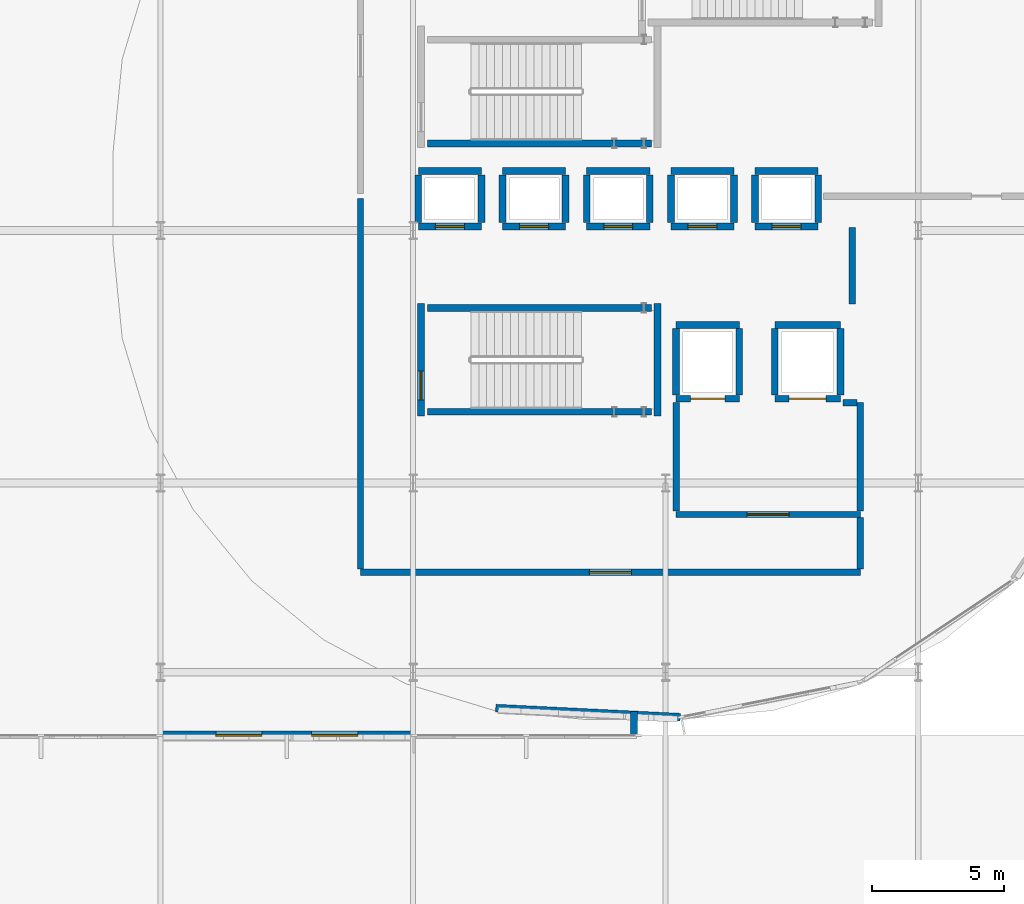
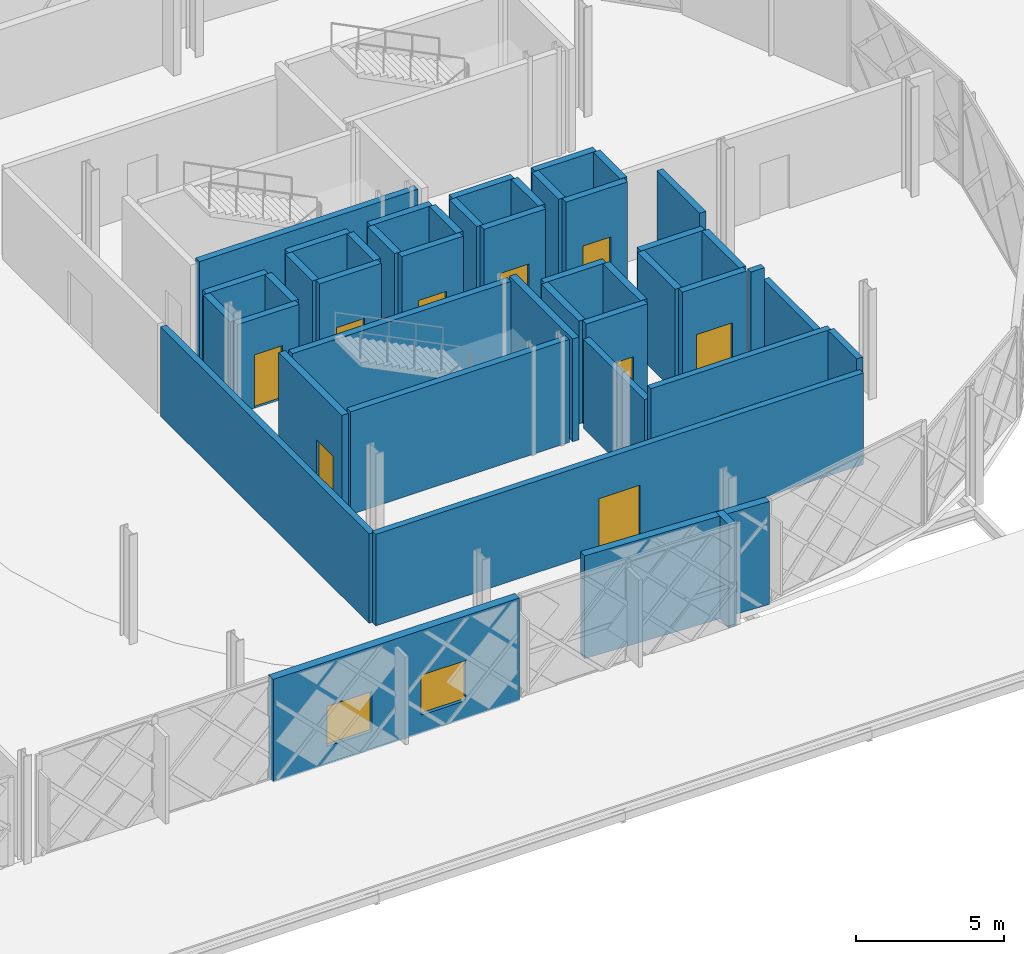
# One storey, part 70 of 101: 44 walls, 10 doors, 2 windows, 12 openings.
"""IFC4 building model written with IfcOpenShell, lengths in metres."""

import ifcopenshell
import ifcopenshell.guid

model = None  # the IFC model being written
_history = None  # IfcOwnerHistory: only IFC2X3 demands one
_inside = {}  # id of a spatial element -> (the spatial element, [elements in it])
_under = {}  # id of a project, library or spatial element -> (it, [spatial elements below it])
_declared = {}  # id of a project -> (the project, [libraries it declares])
_typed = {}  # id of a type object -> (the type object, [elements of that type])
_made_of = {}  # id of a material, layer set ... -> (it, [elements and type objects made of it])


def new_model(schema):
    """Start an empty IFC model of exactly this schema.

    Asked for "IFC4X3", IfcOpenShell would pick the latest addendum, in which some entities
    have other attributes; the version numbers below select the first issue.
    IFC2X3 requires an IfcOwnerHistory on every rooted entity: one is made here for all.
    """
    global model, _history
    if schema == "IFC4X3":
        model = ifcopenshell.file(schema_version=(4, 3, 0, 0))
    else:
        model = ifcopenshell.file(schema=schema)
    _inside.clear()
    _under.clear()
    _declared.clear()
    _typed.clear()
    _made_of.clear()
    _history = None
    if model.schema == "IFC2X3":
        org = make("IfcOrganization", Name="unknown")
        user = make(
            "IfcPersonAndOrganization",
            ThePerson=make("IfcPerson", FamilyName="unknown"),
            TheOrganization=org,
        )
        app = make(
            "IfcApplication",
            ApplicationDeveloper=org,
            Version="unknown",
            ApplicationFullName="unknown",
            ApplicationIdentifier="unknown",
        )
        _history = make(
            "IfcOwnerHistory",
            OwningUser=user,
            OwningApplication=app,
            ChangeAction="ADDED",
            CreationDate=0,
        )
    return model


def make(cls, **values):
    """One entity of the class cls with the attributes given. An attribute that is None is left unset."""
    return model.create_entity(
        cls, **{name: value for name, value in values.items() if value is not None}
    )


def rooted(cls, **values):
    """An entity with a GlobalId (a new one), such as an element, a storey or a relation."""
    return make(cls, GlobalId=ifcopenshell.guid.new(), OwnerHistory=_history, **values)


def si_unit(unit_type, name, prefix=None):
    """IfcSIUnit, for example si_unit("LENGTHUNIT", "METRE", prefix="MILLI")."""
    return make("IfcSIUnit", UnitType=unit_type, Prefix=prefix, Name=name)


def assignment(units):
    """IfcUnitAssignment: the units of a project."""
    return None if units is None else make("IfcUnitAssignment", Units=units)


def point(xyz):
    """IfcCartesianPoint."""
    return None if xyz is None else make("IfcCartesianPoint", Coordinates=xyz)


def direction(xyz):
    """IfcDirection."""
    return None if xyz is None else make("IfcDirection", DirectionRatios=xyz)


def frame(location, z_axis=None, x_axis=None):
    """IfcAxis2Placement3D, a coordinate frame: its origin and axes. An axis left out is left unset."""
    return make(
        "IfcAxis2Placement3D",
        Location=point(location),
        Axis=direction(z_axis),
        RefDirection=direction(x_axis),
    )


def frame_2d(location, x_axis=None):
    """IfcAxis2Placement2D, a coordinate frame in the plane: its origin and x axis."""
    return make(
        "IfcAxis2Placement2D", Location=point(location), RefDirection=direction(x_axis)
    )


def origin():
    """The frame at (0, 0, 0) with its axes left unset."""
    return frame((0.0, 0.0, 0.0))


def place(relative_to, where):
    """IfcLocalPlacement: puts the frame where relative to a parent placement (None: the world)."""
    return make(
        "IfcLocalPlacement", PlacementRelTo=relative_to, RelativePlacement=where
    )


def context(
    kind, dimensions, precision=None, world=None, true_north=None, identifier=None
):
    """IfcGeometricRepresentationContext, for example the 3D "Model" context."""
    return make(
        "IfcGeometricRepresentationContext",
        ContextIdentifier=identifier,
        ContextType=kind,
        CoordinateSpaceDimension=dimensions,
        Precision=precision,
        WorldCoordinateSystem=world,
        TrueNorth=true_north,
    )


def subcontext(parent, identifier, kind, view, scale=None):
    """IfcGeometricRepresentationSubContext, for example "Body" below "Model"."""
    return make(
        "IfcGeometricRepresentationSubContext",
        ContextIdentifier=identifier,
        ContextType=kind,
        ParentContext=parent,
        TargetScale=scale,
        TargetView=view,
    )


def project(units=None, contexts=None):
    """IfcProject with its units and contexts."""
    return rooted(
        "IfcProject",
        Name="project",
        RepresentationContexts=contexts,
        UnitsInContext=assignment(units),
    )


def spatial(cls, under=None, at=None, **own):
    """A site, building, storey or space (cls), placed at a placement, below another one or the project."""
    s = rooted(cls, ObjectPlacement=at, **own)
    if under is not None:
        _under.setdefault(under.id(), (under, []))[1].append(s)
    return s


def profile(cls, at=None, kind="AREA", **sizes):
    """A parametric profile (cls). Its sizes go by their IFC names, for example OverallWidth=200.0."""
    return make(cls, ProfileType=kind, Position=at, **sizes)


def rectangle(**sizes):
    """IfcRectangleProfileDef."""
    return profile("IfcRectangleProfileDef", **sizes)


def extrude(swept, where, along, depth):
    """IfcExtrudedAreaSolid: the profile swept, set in the frame where, extruded along a direction by depth."""
    return make(
        "IfcExtrudedAreaSolid",
        SweptArea=swept,
        Position=where,
        ExtrudedDirection=direction(along),
        Depth=depth,
    )


def shape(context_of_items, identifier, shape_type, items):
    """IfcShapeRepresentation: the items that make up one representation, for example the "Body"."""
    return make(
        "IfcShapeRepresentation",
        ContextOfItems=context_of_items,
        RepresentationIdentifier=identifier,
        RepresentationType=shape_type,
        Items=items,
    )


def material(Name=None, Category=None):
    """IfcMaterial."""
    return make("IfcMaterial", Name=Name, Category=Category)


def layer(
    of_material, thickness, ventilated=None, Name=None, Category=None, Priority=None
):
    """IfcMaterialLayer: one layer of a wall or slab, of a material (None: an air gap)."""
    return make(
        "IfcMaterialLayer",
        Material=of_material,
        LayerThickness=thickness,
        IsVentilated=ventilated,
        Name=Name,
        Category=Category,
        Priority=Priority,
    )


def layer_set(layers, Name=None):
    """IfcMaterialLayerSet."""
    return make("IfcMaterialLayerSet", MaterialLayers=layers, LayerSetName=Name)


def made_of(thing, what):
    """Note that an element or type object is made of a material, layer set ...; save() writes the relation."""
    if what is not None:
        _made_of.setdefault(what.id(), (what, []))[1].append(thing)
    return thing


def type_object(cls, material=None, **own):
    """A type object (cls), such as IfcWallType, which elements share."""
    return made_of(rooted(cls, **own), material)


def element(
    cls,
    number,
    at=None,
    inside=None,
    cuts=None,
    type_object=None,
    material=None,
    context=None,
    identifier="Body",
    shape_type=None,
    held_by="IfcProductDefinitionShape",
    body=None,
    shapes=None,
    **own,
):
    """One element of the class cls, such as IfcWall. Its Tag is "e" and its number.

    at: its placement. inside: the storey or other place that contains it. cuts: it is an
    opening in that element (IfcRelVoidsElement). A single representation is given by context,
    identifier, shape_type and body (its items); several are given by shapes. held_by: the class
    of the entity that holds the representations. save() writes the other relations.
    """
    e = rooted(cls, Tag="e%d" % number, ObjectPlacement=at, **own)
    if body is not None:
        shapes = [shape(context, identifier, shape_type, body)]
    if shapes is not None:
        e.Representation = make(held_by, Representations=shapes)
    if inside is not None:
        _inside.setdefault(inside.id(), (inside, []))[1].append(e)
    if cuts is not None:
        rooted(
            "IfcRelVoidsElement", RelatingBuildingElement=cuts, RelatedOpeningElement=e
        )
    if type_object is not None:
        _typed.setdefault(type_object.id(), (type_object, []))[1].append(e)
    return made_of(e, material)


def fill(opening, filler):
    """IfcRelFillsElement: the door or window that sits in an opening."""
    return rooted(
        "IfcRelFillsElement",
        RelatingOpeningElement=opening,
        RelatedBuildingElement=filler,
    )


def aggregate(whole, parts):
    """IfcRelAggregates: a whole, such as a stair, and the parts it consists of."""
    return rooted("IfcRelAggregates", RelatingObject=whole, RelatedObjects=parts)


def save(model, path):
    """Write the relations noted so far, then the file.

    IfcRelAggregates (storeys below a building ...), IfcRelContainedInSpatialStructure (elements
    in a storey), IfcRelDefinesByType, IfcRelAssociatesMaterial and IfcRelDeclares: one each for
    every whole, place, type object, material and project.
    """
    for whole, parts in _under.values():
        aggregate(whole, parts)
    for where, things in _inside.values():
        rooted(
            "IfcRelContainedInSpatialStructure",
            RelatedElements=things,
            RelatingStructure=where,
        )
    for kind, things in _typed.values():
        rooted("IfcRelDefinesByType", RelatedObjects=things, RelatingType=kind)
    for what, things in _made_of.values():
        rooted("IfcRelAssociatesMaterial", RelatedObjects=things, RelatingMaterial=what)
    for by, libraries in _declared.values():
        rooted("IfcRelDeclares", RelatingContext=by, RelatedDefinitions=libraries)
    model.write(path)


model = new_model("IFC4")

# Units and contexts
model_context = context("Model", 3, precision=1e-05, world=origin(), true_north=direction((0.0, 1.0)))
body_context = subcontext(model_context, "Body", "Model", "MODEL_VIEW")
ifc_project = project(units=[si_unit("LENGTHUNIT", "METRE"), si_unit("AREAUNIT", "SQUARE_METRE"), si_unit("VOLUMEUNIT", "CUBIC_METRE"), si_unit("PLANEANGLEUNIT", "RADIAN"), si_unit("MASSUNIT", "GRAM", prefix="KILO")], contexts=[model_context])

# Site, building, storey
site_placement = place(None, origin())
site = spatial("IfcSite", under=ifc_project, at=site_placement, CompositionType="ELEMENT")
building_placement = place(site_placement, origin())
building = spatial("IfcBuilding", under=site, at=building_placement, Name="Zevrakil Square Congress Hotel", CompositionType="ELEMENT")
storey_placement = place(building_placement, frame((0.0, 0.0, 5.39990234375)))
storey = spatial("IfcBuildingStorey", under=building, at=storey_placement, Name="L02", CompositionType="ELEMENT", Elevation=5.39990234375)

# Wall, opening, door
ifc_material_1 = material(Name="Concrete C35/45", Category="concrete")
ifc_layer_1 = layer(ifc_material_1, 0.239990234375)
ifc_layer_set_1 = layer_set([ifc_layer_1], Name="Concrete C35/45")
wall_type_1 = type_object("IfcWallType", Name="WAL-COMP-240", PredefinedType="SOLIDWALL", material=ifc_layer_set_1)
wall_1_placement = place(storey_placement, frame((146.800048828125, 15.60009765625, 0.0), z_axis=(0.0, 0.0, 1.0), x_axis=(1.0, 0.0, 0.0)))
wall_1 = element("IfcWall", 1, at=wall_1_placement, inside=storey, type_object=wall_type_1, Name="L02 interior partition PW-L02-0047", PredefinedType="SOLIDWALL", context=body_context, shape_type="SweptSolid", body=[
    extrude(rectangle(XDim=7.0, YDim=0.239990234375, at=frame_2d((3.5, 0.0))), origin(), (0.0, 0.0, 1.0), 4.239990234375),
])
opening_1_placement = place(wall_1_placement, frame((2.699951171875, 0.0, 0.0)))
opening_1 = element("IfcOpeningElement", 2, at=opening_1_placement, cuts=wall_1, Name="Opening FD90-D", PredefinedType="OPENING", context=body_context, shape_type="SweptSolid", body=[
    extrude(rectangle(XDim=1.60009765625, YDim=2.199951171875, at=frame_2d((0.800048828125, 1.10009765625))), frame((0.0, 0.1298828125, 0.0), z_axis=(0.0, -1.0, 0.0), x_axis=(1.0, 0.0, 0.0)), (0.0, 0.0, 1.0), 0.260009765625),
])
ifc_material_2 = material(Name="Steel S355 Double Fire Door", Category="steel")
door_type_1 = type_object("IfcDoorType", Name="DOR-FFLOB-FD90-160", OperationType="NOTDEFINED", PredefinedType="DOOR", material=ifc_material_2)
door_1_placement = place(opening_1_placement, origin())
door_1 = element("IfcDoor", 3, at=door_1_placement, inside=storey, type_object=door_type_1, Name="L02 interior door 15", OperationType="DOUBLE_DOOR_SINGLE_SWING", OverallHeight=2.199951171875, OverallWidth=1.60009765625, PredefinedType="DOOR", context=body_context, shape_type="SweptSolid", body=[
    extrude(rectangle(XDim=1.60009765625, YDim=2.199951171875, at=frame_2d((0.800048828125, 1.10009765625))), frame((0.0, 0.02490234375, 0.0), z_axis=(0.0, -1.0, 0.0), x_axis=(1.0, 0.0, 0.0)), (0.0, 0.0, 1.0), 0.050048828125),
])
fill(opening_1, door_1)

# Walls
for number, where, z_axis, x_axis, name in (
    (4, (146.800048828125, 15.72509765625, 0.0), (0.0, 0.0, 1.0), (0.0, 1.0, 0.0), "L02 interior partition PW-L02-0048"),
    (5, (153.800048828125, 15.72509765625, 0.0), (0.0, 0.0, 1.0), (0.0, 1.0, 0.0), "L02 interior partition PW-L02-0049"),
):
    element("IfcWall", number, at=place(storey_placement, frame(where, z_axis=z_axis, x_axis=x_axis)), inside=storey, type_object=wall_type_1, Name=name, PredefinedType="SOLIDWALL", context=body_context, shape_type="SweptSolid", body=[
        extrude(rectangle(XDim=4.125, YDim=0.239990234375, at=frame_2d((2.0625, 0.0))), origin(), (0.0, 0.0, 1.0), 3.68505859375),
    ])
wall_2_placement = place(storey_placement, frame((153.14990234375, 19.85009765625, 0.0), z_axis=(0.0, 0.0, 1.0), x_axis=(1.0, 0.0, 0.0)))
element("IfcWall", 6, at=wall_2_placement, inside=storey, type_object=wall_type_1, Name="L02 interior partition PW-L02-0050", PredefinedType="SOLIDWALL", context=body_context, shape_type="SweptSolid", body=[
    extrude(rectangle(XDim=0.525146484375, YDim=0.239990234375, at=frame_2d((0.2626953125, 0.0))), origin(), (0.0, 0.0, 1.0), 4.239990234375),
])

# Wall, opening, door
wall_3_placement = place(storey_placement, frame((134.800048828125, 13.39990234375, 0.0), z_axis=(0.0, 0.0, 1.0), x_axis=(1.0, 0.0, 0.0)))
wall_3 = element("IfcWall", 7, at=wall_3_placement, inside=storey, type_object=wall_type_1, Name="L02 interior partition PW-L02-0051", PredefinedType="SOLIDWALL", context=body_context, shape_type="SweptSolid", body=[
    extrude(rectangle(XDim=19.0, YDim=0.239990234375, at=frame_2d((9.5, 0.0))), origin(), (0.0, 0.0, 1.0), 3.775146484375),
])
opening_2_placement = place(wall_3_placement, frame((8.699951171875, 0.0, 0.0)))
opening_2 = element("IfcOpeningElement", 8, at=opening_2_placement, cuts=wall_3, Name="Opening FD90-D", PredefinedType="OPENING", context=body_context, shape_type="SweptSolid", body=[
    extrude(rectangle(XDim=1.60009765625, YDim=2.199951171875, at=frame_2d((0.800048828125, 1.10009765625))), frame((0.0, 0.1298828125, 0.0), z_axis=(0.0, -1.0, 0.0), x_axis=(1.0, 0.0, 0.0)), (0.0, 0.0, 1.0), 0.260009765625),
])
door_2_placement = place(opening_2_placement, origin())
door_2 = element("IfcDoor", 9, at=door_2_placement, inside=storey, type_object=door_type_1, Name="L02 interior door 16", OperationType="DOUBLE_DOOR_SINGLE_SWING", OverallHeight=2.199951171875, OverallWidth=1.60009765625, PredefinedType="DOOR", context=body_context, shape_type="SweptSolid", body=[
    extrude(rectangle(XDim=1.60009765625, YDim=2.199951171875, at=frame_2d((0.800048828125, 1.10009765625))), frame((0.0, 0.02490234375, 0.0), z_axis=(0.0, -1.0, 0.0), x_axis=(1.0, 0.0, 0.0)), (0.0, 0.0, 1.0), 0.050048828125),
])
fill(opening_2, door_2)

# Walls
wall_4_placement = place(storey_placement, frame((153.800048828125, 13.52490234375, 0.0), z_axis=(0.0, 0.0, 1.0), x_axis=(0.0, 1.0, 0.0)))
element("IfcWall", 10, at=wall_4_placement, inside=storey, type_object=wall_type_1, Name="L02 interior partition PW-L02-0052", PredefinedType="SOLIDWALL", context=body_context, shape_type="SweptSolid", body=[
    extrude(rectangle(XDim=1.9501953125, YDim=0.239990234375, at=frame_2d((0.97509765625, 0.0))), origin(), (0.0, 0.0, 1.0), 4.239990234375),
])
wall_5_placement = place(storey_placement, frame((134.800048828125, 13.52490234375, 0.0), z_axis=(0.0, 0.0, 1.0), x_axis=(0.0, 1.0, 0.0)))
element("IfcWall", 11, at=wall_5_placement, inside=storey, type_object=wall_type_1, Name="L02 interior partition PW-L02-0053", PredefinedType="SOLIDWALL", context=body_context, shape_type="SweptSolid", body=[
    extrude(rectangle(XDim=14.0751953125, YDim=0.239990234375, at=frame_2d((7.03759765625, 0.0))), origin(), (0.0, 0.0, 1.0), 3.68505859375),
])
wall_6_placement = place(storey_placement, frame((153.5, 23.60009765625, 0.0), z_axis=(0.0, 0.0, 1.0), x_axis=(0.0, 1.0, 0.0)))
element("IfcWall", 12, at=wall_6_placement, inside=storey, type_object=wall_type_1, Name="L02 interior partition PW-L02-0056", PredefinedType="SOLIDWALL", context=body_context, shape_type="SweptSolid", body=[
    extrude(rectangle(XDim=2.89990234375, YDim=0.239990234375, at=frame_2d((1.449951171875, 0.0))), origin(), (0.0, 0.0, 1.0), 4.239990234375),
])
ifc_material_3 = material(Name="Precast concrete C40/50", Category="concrete")
ifc_layer_2 = layer(ifc_material_3, 0.300048828125)
ifc_layer_set_2 = layer_set([ifc_layer_2], Name="Precast concrete C40/50")
wall_type_2 = type_object("IfcWallType", Name="WAL-EXT-DRM-300", PredefinedType="SOLIDWALL", material=ifc_layer_set_2)
wall_7_placement = place(storey_placement, frame((139.942138671875, 8.235107421875, 0.0), z_axis=(0.0, 0.0, 1.0), x_axis=(0.998790626756, -0.049165881505, 0.0)))
element("IfcWall", 13, at=wall_7_placement, inside=storey, type_object=wall_type_2, Name="L02 exterior GRC wall EW-L02-0123", PredefinedType="SOLIDWALL", context=body_context, shape_type="SweptSolid", body=[
    extrude(rectangle(XDim=7.021484375, YDim=0.300048828125, at=frame_2d((3.5107421875, 0.0))), origin(), (0.0, 0.0, 1.0), 4.239990234375),
])

# Wall, openings, windows
ifc_material_4 = material(Name="Precast concrete C40/50", Category="concrete")
ifc_layer_3 = layer(ifc_material_4, 0.320068359375)
ifc_layer_set_3 = layer_set([ifc_layer_3], Name="Precast concrete C40/50")
wall_type_3 = type_object("IfcWallType", Name="WAL-EXT-GRC-320", PredefinedType="SOLIDWALL", material=ifc_layer_set_3)
wall_8_placement = place(storey_placement, frame((127.202880859375, 7.199951171875, 0.0), z_axis=(0.0, 0.0, 1.0), x_axis=(1.0, 0.0, 0.0)))
wall_8 = element("IfcWall", 14, at=wall_8_placement, inside=storey, type_object=wall_type_3, Name="L02 exterior GRC wall EW-L02-0023", PredefinedType="SOLIDWALL", context=body_context, shape_type="SweptSolid", body=[
    extrude(rectangle(XDim=9.59423828125, YDim=0.320068359375, at=frame_2d((4.797119140625, 0.0))), origin(), (0.0, 0.0, 1.0), 4.239990234375),
])
opening_3_placement = place(wall_8_placement, frame((2.098388671875, 0.0, 0.75)))
opening_3 = element("IfcOpeningElement", 15, at=opening_3_placement, cuts=wall_8, Name="Opening WN-16", PredefinedType="OPENING", context=body_context, shape_type="SweptSolid", body=[
    extrude(rectangle(XDim=1.75, YDim=1.64990234375, at=frame_2d((0.875, 0.824951171875))), frame((0.0, 0.169921875, 0.0), z_axis=(0.0, -1.0, 0.0), x_axis=(1.0, 0.0, 0.0)), (0.0, 0.0, 1.0), 0.340087890625),
])
opening_4_placement = place(wall_8_placement, frame((5.74560546875, 0.0, 0.75)))
opening_4 = element("IfcOpeningElement", 16, at=opening_4_placement, cuts=wall_8, Name="Opening WN-16", PredefinedType="OPENING", context=body_context, shape_type="SweptSolid", body=[
    extrude(rectangle(XDim=1.75, YDim=1.64990234375, at=frame_2d((0.875, 0.824951171875))), frame((0.0, 0.169921875, 0.0), z_axis=(0.0, -1.0, 0.0), x_axis=(1.0, 0.0, 0.0)), (0.0, 0.0, 1.0), 0.340087890625),
])
ifc_material_5 = material(Name="Low-E Solar Control Double Glazing", Category="glass")
window_type = type_object("IfcWindowType", Name="WIN-EXT-16", PartitioningType="SINGLE_PANEL", PredefinedType="WINDOW", material=ifc_material_5)
window_1_placement = place(opening_3_placement, origin())
window_1 = element("IfcWindow", 17, at=window_1_placement, inside=storey, type_object=window_type, Name="L02 low-E solar window 16", OverallHeight=1.64990234375, OverallWidth=1.75, PartitioningType="SINGLE_PANEL", PredefinedType="WINDOW", context=body_context, shape_type="SweptSolid", body=[
    extrude(rectangle(XDim=1.75, YDim=1.64990234375, at=frame_2d((0.875, 0.824951171875))), frame((0.0, 0.030029296875, 0.0), z_axis=(0.0, -1.0, 0.0), x_axis=(1.0, 0.0, 0.0)), (0.0, 0.0, 1.0), 0.06005859375),
])
fill(opening_3, window_1)
window_2_placement = place(opening_4_placement, origin())
window_2 = element("IfcWindow", 18, at=window_2_placement, inside=storey, type_object=window_type, Name="L02 low-E solar window 17", OverallHeight=1.64990234375, OverallWidth=1.75, PartitioningType="SINGLE_PANEL", PredefinedType="WINDOW", context=body_context, shape_type="SweptSolid", body=[
    extrude(rectangle(XDim=1.75, YDim=1.64990234375, at=frame_2d((0.875, 0.824951171875))), frame((0.0, 0.030029296875, 0.0), z_axis=(0.0, -1.0, 0.0), x_axis=(1.0, 0.0, 0.0)), (0.0, 0.0, 1.0), 0.06005859375),
])
fill(opening_4, window_2)

# Wall
ifc_material_6 = material(Name="Precast concrete C40/50", Category="concrete")
ifc_layer_4 = layer(ifc_material_6, 0.280029296875)
ifc_layer_set_4 = layer_set([ifc_layer_4], Name="Precast concrete C40/50")
wall_type_4 = type_object("IfcWallType", Name="WAL-EXT-PAV-280", PredefinedType="SOLIDWALL", material=ifc_layer_set_4)
wall_9_placement = place(storey_placement, frame((145.199951171875, 7.199951171875, 0.0), z_axis=(0.0, 0.0, 1.0), x_axis=(0.0, 1.0, 0.0)))
element("IfcWall", 19, at=wall_9_placement, inside=storey, type_object=wall_type_4, Name="L02 exterior GRC wall EW-L02-0104", PredefinedType="SOLIDWALL", context=body_context, shape_type="SweptSolid", body=[
    extrude(rectangle(XDim=0.900146484375, YDim=0.280029296875, at=frame_2d((0.4501953125, 0.0))), origin(), (0.0, 0.0, 1.0), 4.239990234375),
])

# Wall, opening, door
ifc_material_7 = material(Name="Concrete C40/50", Category="concrete")
ifc_layer_5 = layer(ifc_material_7, 0.260009765625)
ifc_layer_set_5 = layer_set([ifc_layer_5], Name="Concrete C40/50")
wall_type_5 = type_object("IfcWallType", Name="WAL-SHAFT-260", PredefinedType="SHEAR", material=ifc_layer_set_5)
wall_10_placement = place(storey_placement, frame((137.10498046875, 19.340087890625, 0.0), z_axis=(0.0, 0.0, 1.0), x_axis=(0.0, 1.0, 0.0)))
wall_10 = element("IfcWall", 20, at=wall_10_placement, inside=storey, type_object=wall_type_5, Name="L02 ST01 stair shaft W wall", PredefinedType="SHEAR", context=body_context, shape_type="SweptSolid", body=[
    extrude(rectangle(XDim=4.27001953125, YDim=0.260009765625, at=frame_2d((2.135009765625, 0.0))), origin(), (0.0, 0.0, 1.0), 4.239990234375),
])
opening_5_placement = place(wall_10_placement, frame((0.610107421875, 0.0, 0.0)))
opening_5 = element("IfcOpeningElement", 21, at=opening_5_placement, cuts=wall_10, Name="Opening SD-ST01", PredefinedType="OPENING", context=body_context, shape_type="SweptSolid", body=[
    extrude(rectangle(XDim=1.10009765625, YDim=2.199951171875, at=frame_2d((0.550048828125, 1.10009765625))), frame((0.0, 0.14013671875, 0.0), z_axis=(0.0, -1.0, 0.0), x_axis=(1.0, 0.0, 0.0)), (0.0, 0.0, 1.0), 0.280029296875),
])
ifc_material_8 = material(Name="Steel S355 Fire-Rated Door", Category="steel")
door_type_2 = type_object("IfcDoorType", Name="DOR-STAIR-FD90-110", OperationType="NOTDEFINED", PredefinedType="DOOR", material=ifc_material_8)
door_3_placement = place(opening_5_placement, origin())
door_3 = element("IfcDoor", 22, at=door_3_placement, inside=storey, type_object=door_type_2, Name="L02 ST01 protected stair fire door", OperationType="SINGLE_SWING_LEFT", OverallHeight=2.199951171875, OverallWidth=1.10009765625, PredefinedType="DOOR", context=body_context, shape_type="SweptSolid", body=[
    extrude(rectangle(XDim=1.10009765625, YDim=2.199951171875, at=frame_2d((0.550048828125, 1.10009765625))), frame((0.0, 0.02490234375, 0.0), z_axis=(0.0, -1.0, 0.0), x_axis=(1.0, 0.0, 0.0)), (0.0, 0.0, 1.0), 0.050048828125),
])
fill(opening_5, door_3)

# Walls
wall_11_placement = place(storey_placement, frame((146.094970703125, 19.340087890625, 0.0), z_axis=(0.0, 0.0, 1.0), x_axis=(0.0, 1.0, 0.0)))
element("IfcWall", 23, at=wall_11_placement, inside=storey, type_object=wall_type_5, Name="L02 ST01 stair shaft E wall", PredefinedType="SHEAR", context=body_context, shape_type="SweptSolid", body=[
    extrude(rectangle(XDim=4.27001953125, YDim=0.260009765625, at=frame_2d((2.135009765625, 0.0))), origin(), (0.0, 0.0, 1.0), 4.239990234375),
])
for number, where, z_axis, x_axis, name in (
    (24, (137.340087890625, 19.5048828125, 0.0), (0.0, 0.0, 1.0), (1.0, 0.0, 0.0), "L02 ST01 stair shaft S wall"),
    (25, (137.340087890625, 23.445068359375, 0.0), (0.0, 0.0, 1.0), (1.0, 0.0, 0.0), "L02 ST01 stair shaft N wall"),
    (26, (137.340087890625, 29.705078125, 0.0), (0.0, 0.0, 1.0), (1.0, 0.0, 0.0), "L02 ST02 stair shaft S wall"),
):
    element("IfcWall", number, at=place(storey_placement, frame(where, z_axis=z_axis, x_axis=x_axis)), inside=storey, type_object=wall_type_5, Name=name, PredefinedType="SHEAR", context=body_context, shape_type="SweptSolid", body=[
        extrude(rectangle(XDim=8.52001953125, YDim=0.260009765625, at=frame_2d((4.260009765625, 0.0))), origin(), (0.0, 0.0, 1.0), 4.239990234375),
    ])

# Wall, opening, door
wall_12_placement = place(storey_placement, frame((137.0, 26.550048828125, 0.0), z_axis=(0.0, 0.0, 1.0), x_axis=(1.0, 0.0, 0.0)))
wall_12 = element("IfcWall", 27, at=wall_12_placement, inside=storey, type_object=wall_type_5, Name="L02 HL1 lift shaft wall", PredefinedType="SHEAR", context=body_context, shape_type="SweptSolid", body=[
    extrude(rectangle(XDim=2.39990234375, YDim=0.260009765625, at=frame_2d((1.199951171875, 0.0))), origin(), (0.0, 0.0, 1.0), 3.675048828125),
])
opening_6_placement = place(wall_12_placement, frame((0.64990234375, 0.0, 0.0)))
opening_6 = element("IfcOpeningElement", 28, at=opening_6_placement, cuts=wall_12, Name="Opening LD-HL1", PredefinedType="OPENING", context=body_context, shape_type="SweptSolid", body=[
    extrude(rectangle(XDim=1.10009765625, YDim=2.199951171875, at=frame_2d((0.550048828125, 1.10009765625))), frame((0.0, 0.14013671875, 0.0), z_axis=(0.0, -1.0, 0.0), x_axis=(1.0, 0.0, 0.0)), (0.0, 0.0, 1.0), 0.280029296875),
])
ifc_material_9 = material(Name="Stainless Steel Sliding Lift Landing Door", Category="steel")
door_type_3 = type_object("IfcDoorType", Name="DOR-LIFT-LD110", OperationType="NOTDEFINED", PredefinedType="DOOR", material=ifc_material_9)
door_4_placement = place(opening_6_placement, origin())
door_4 = element("IfcDoor", 29, at=door_4_placement, inside=storey, type_object=door_type_3, Name="L02 HL1 sliding lift landing door", OperationType="SLIDING_TO_LEFT", OverallHeight=2.199951171875, OverallWidth=1.10009765625, PredefinedType="DOOR", context=body_context, shape_type="SweptSolid", body=[
    extrude(rectangle(XDim=1.10009765625, YDim=2.199951171875, at=frame_2d((0.550048828125, 1.10009765625))), frame((0.0, 0.02490234375, 0.0), z_axis=(0.0, -1.0, 0.0), x_axis=(1.0, 0.0, 0.0)), (0.0, 0.0, 1.0), 0.050048828125),
])
fill(opening_6, door_4)

# Walls
wall_13_placement = place(storey_placement, frame((137.0, 28.64990234375, 0.0), z_axis=(0.0, 0.0, 1.0), x_axis=(1.0, 0.0, 0.0)))
element("IfcWall", 30, at=wall_13_placement, inside=storey, type_object=wall_type_5, Name="L02 HL1 lift shaft wall", PredefinedType="SHEAR", context=body_context, shape_type="SweptSolid", body=[
    extrude(rectangle(XDim=2.39990234375, YDim=0.260009765625, at=frame_2d((1.199951171875, 0.0))), origin(), (0.0, 0.0, 1.0), 3.675048828125),
])
for number, where, z_axis, x_axis, name in (
    (31, (137.0, 26.68994140625, 0.0), (0.0, 0.0, 1.0), (0.0, 1.0, 0.0), "L02 HL1 lift shaft wall"),
    (32, (139.39990234375, 26.68994140625, 0.0), (0.0, 0.0, 1.0), (0.0, 1.0, 0.0), "L02 HL1 lift shaft wall"),
):
    element("IfcWall", number, at=place(storey_placement, frame(where, z_axis=z_axis, x_axis=x_axis)), inside=storey, type_object=wall_type_5, Name=name, PredefinedType="SHEAR", context=body_context, shape_type="SweptSolid", body=[
        extrude(rectangle(XDim=1.820068359375, YDim=0.260009765625, at=frame_2d((0.91015625, 0.0))), origin(), (0.0, 0.0, 1.0), 3.675048828125),
    ])

# Wall, opening, door
wall_14_placement = place(storey_placement, frame((140.199951171875, 26.550048828125, 0.0), z_axis=(0.0, 0.0, 1.0), x_axis=(1.0, 0.0, 0.0)))
wall_14 = element("IfcWall", 33, at=wall_14_placement, inside=storey, type_object=wall_type_5, Name="L02 HL2 lift shaft wall", PredefinedType="SHEAR", context=body_context, shape_type="SweptSolid", body=[
    extrude(rectangle(XDim=2.400146484375, YDim=0.260009765625, at=frame_2d((1.2001953125, 0.0))), origin(), (0.0, 0.0, 1.0), 4.239990234375),
])
opening_7_placement = place(wall_14_placement, frame((0.64990234375, 0.0, 0.0)))
opening_7 = element("IfcOpeningElement", 34, at=opening_7_placement, cuts=wall_14, Name="Opening LD-HL2", PredefinedType="OPENING", context=body_context, shape_type="SweptSolid", body=[
    extrude(rectangle(XDim=1.10009765625, YDim=2.199951171875, at=frame_2d((0.550048828125, 1.10009765625))), frame((0.0, 0.14013671875, 0.0), z_axis=(0.0, -1.0, 0.0), x_axis=(1.0, 0.0, 0.0)), (0.0, 0.0, 1.0), 0.280029296875),
])
door_5_placement = place(opening_7_placement, origin())
door_5 = element("IfcDoor", 35, at=door_5_placement, inside=storey, type_object=door_type_3, Name="L02 HL2 sliding lift landing door", OperationType="SLIDING_TO_RIGHT", OverallHeight=2.199951171875, OverallWidth=1.10009765625, PredefinedType="DOOR", context=body_context, shape_type="SweptSolid", body=[
    extrude(rectangle(XDim=1.10009765625, YDim=2.199951171875, at=frame_2d((0.550048828125, 1.10009765625))), frame((0.0, 0.02490234375, 0.0), z_axis=(0.0, -1.0, 0.0), x_axis=(1.0, 0.0, 0.0)), (0.0, 0.0, 1.0), 0.050048828125),
])
fill(opening_7, door_5)

# Walls
wall_15_placement = place(storey_placement, frame((140.199951171875, 28.64990234375, 0.0), z_axis=(0.0, 0.0, 1.0), x_axis=(1.0, 0.0, 0.0)))
element("IfcWall", 36, at=wall_15_placement, inside=storey, type_object=wall_type_5, Name="L02 HL2 lift shaft wall", PredefinedType="SHEAR", context=body_context, shape_type="SweptSolid", body=[
    extrude(rectangle(XDim=2.400146484375, YDim=0.260009765625, at=frame_2d((1.2001953125, 0.0))), origin(), (0.0, 0.0, 1.0), 4.239990234375),
])
for number, where, z_axis, x_axis, name in (
    (37, (140.199951171875, 26.68994140625, 0.0), (0.0, 0.0, 1.0), (0.0, 1.0, 0.0), "L02 HL2 lift shaft wall"),
    (38, (142.60009765625, 26.68994140625, 0.0), (0.0, 0.0, 1.0), (0.0, 1.0, 0.0), "L02 HL2 lift shaft wall"),
):
    element("IfcWall", number, at=place(storey_placement, frame(where, z_axis=z_axis, x_axis=x_axis)), inside=storey, type_object=wall_type_5, Name=name, PredefinedType="SHEAR", context=body_context, shape_type="SweptSolid", body=[
        extrude(rectangle(XDim=1.820068359375, YDim=0.260009765625, at=frame_2d((0.91015625, 0.0))), origin(), (0.0, 0.0, 1.0), 4.239990234375),
    ])

# Wall, opening, door
wall_16_placement = place(storey_placement, frame((143.39990234375, 26.550048828125, 0.0), z_axis=(0.0, 0.0, 1.0), x_axis=(1.0, 0.0, 0.0)))
wall_16 = element("IfcWall", 39, at=wall_16_placement, inside=storey, type_object=wall_type_5, Name="L02 HL3 lift shaft wall", PredefinedType="SHEAR", context=body_context, shape_type="SweptSolid", body=[
    extrude(rectangle(XDim=2.400146484375, YDim=0.260009765625, at=frame_2d((1.2001953125, 0.0))), origin(), (0.0, 0.0, 1.0), 4.239990234375),
])
opening_8_placement = place(wall_16_placement, frame((0.64990234375, 0.0, 0.0)))
opening_8 = element("IfcOpeningElement", 40, at=opening_8_placement, cuts=wall_16, Name="Opening LD-HL3", PredefinedType="OPENING", context=body_context, shape_type="SweptSolid", body=[
    extrude(rectangle(XDim=1.10009765625, YDim=2.199951171875, at=frame_2d((0.550048828125, 1.10009765625))), frame((0.0, 0.14013671875, 0.0), z_axis=(0.0, -1.0, 0.0), x_axis=(1.0, 0.0, 0.0)), (0.0, 0.0, 1.0), 0.280029296875),
])
door_6_placement = place(opening_8_placement, origin())
door_6 = element("IfcDoor", 41, at=door_6_placement, inside=storey, type_object=door_type_3, Name="L02 HL3 sliding lift landing door", OperationType="SLIDING_TO_LEFT", OverallHeight=2.199951171875, OverallWidth=1.10009765625, PredefinedType="DOOR", context=body_context, shape_type="SweptSolid", body=[
    extrude(rectangle(XDim=1.10009765625, YDim=2.199951171875, at=frame_2d((0.550048828125, 1.10009765625))), frame((0.0, 0.02490234375, 0.0), z_axis=(0.0, -1.0, 0.0), x_axis=(1.0, 0.0, 0.0)), (0.0, 0.0, 1.0), 0.050048828125),
])
fill(opening_8, door_6)

# Walls
wall_17_placement = place(storey_placement, frame((143.39990234375, 28.64990234375, 0.0), z_axis=(0.0, 0.0, 1.0), x_axis=(1.0, 0.0, 0.0)))
element("IfcWall", 42, at=wall_17_placement, inside=storey, type_object=wall_type_5, Name="L02 HL3 lift shaft wall", PredefinedType="SHEAR", context=body_context, shape_type="SweptSolid", body=[
    extrude(rectangle(XDim=2.400146484375, YDim=0.260009765625, at=frame_2d((1.2001953125, 0.0))), origin(), (0.0, 0.0, 1.0), 4.239990234375),
])
for number, where, z_axis, x_axis, name in (
    (43, (143.39990234375, 26.68994140625, 0.0), (0.0, 0.0, 1.0), (0.0, 1.0, 0.0), "L02 HL3 lift shaft wall"),
    (44, (145.800048828125, 26.68994140625, 0.0), (0.0, 0.0, 1.0), (0.0, 1.0, 0.0), "L02 HL3 lift shaft wall"),
):
    element("IfcWall", number, at=place(storey_placement, frame(where, z_axis=z_axis, x_axis=x_axis)), inside=storey, type_object=wall_type_5, Name=name, PredefinedType="SHEAR", context=body_context, shape_type="SweptSolid", body=[
        extrude(rectangle(XDim=1.820068359375, YDim=0.260009765625, at=frame_2d((0.91015625, 0.0))), origin(), (0.0, 0.0, 1.0), 4.239990234375),
    ])

# Wall, opening, door
wall_18_placement = place(storey_placement, frame((146.60009765625, 26.550048828125, 0.0), z_axis=(0.0, 0.0, 1.0), x_axis=(1.0, 0.0, 0.0)))
wall_18 = element("IfcWall", 45, at=wall_18_placement, inside=storey, type_object=wall_type_5, Name="L02 HL4 lift shaft wall", PredefinedType="SHEAR", context=body_context, shape_type="SweptSolid", body=[
    extrude(rectangle(XDim=2.39990234375, YDim=0.260009765625, at=frame_2d((1.199951171875, 0.0))), origin(), (0.0, 0.0, 1.0), 4.239990234375),
])
opening_9_placement = place(wall_18_placement, frame((0.64990234375, 0.0, 0.0)))
opening_9 = element("IfcOpeningElement", 46, at=opening_9_placement, cuts=wall_18, Name="Opening LD-HL4", PredefinedType="OPENING", context=body_context, shape_type="SweptSolid", body=[
    extrude(rectangle(XDim=1.10009765625, YDim=2.199951171875, at=frame_2d((0.550048828125, 1.10009765625))), frame((0.0, 0.14013671875, 0.0), z_axis=(0.0, -1.0, 0.0), x_axis=(1.0, 0.0, 0.0)), (0.0, 0.0, 1.0), 0.280029296875),
])
door_7_placement = place(opening_9_placement, origin())
door_7 = element("IfcDoor", 47, at=door_7_placement, inside=storey, type_object=door_type_3, Name="L02 HL4 sliding lift landing door", OperationType="SLIDING_TO_RIGHT", OverallHeight=2.199951171875, OverallWidth=1.10009765625, PredefinedType="DOOR", context=body_context, shape_type="SweptSolid", body=[
    extrude(rectangle(XDim=1.10009765625, YDim=2.199951171875, at=frame_2d((0.550048828125, 1.10009765625))), frame((0.0, 0.02490234375, 0.0), z_axis=(0.0, -1.0, 0.0), x_axis=(1.0, 0.0, 0.0)), (0.0, 0.0, 1.0), 0.050048828125),
])
fill(opening_9, door_7)

# Walls
wall_19_placement = place(storey_placement, frame((146.60009765625, 28.64990234375, 0.0), z_axis=(0.0, 0.0, 1.0), x_axis=(1.0, 0.0, 0.0)))
element("IfcWall", 48, at=wall_19_placement, inside=storey, type_object=wall_type_5, Name="L02 HL4 lift shaft wall", PredefinedType="SHEAR", context=body_context, shape_type="SweptSolid", body=[
    extrude(rectangle(XDim=2.39990234375, YDim=0.260009765625, at=frame_2d((1.199951171875, 0.0))), origin(), (0.0, 0.0, 1.0), 4.239990234375),
])
for number, where, z_axis, x_axis, name in (
    (49, (146.60009765625, 26.68994140625, 0.0), (0.0, 0.0, 1.0), (0.0, 1.0, 0.0), "L02 HL4 lift shaft wall"),
    (50, (149.0, 26.68994140625, 0.0), (0.0, 0.0, 1.0), (0.0, 1.0, 0.0), "L02 HL4 lift shaft wall"),
):
    element("IfcWall", number, at=place(storey_placement, frame(where, z_axis=z_axis, x_axis=x_axis)), inside=storey, type_object=wall_type_5, Name=name, PredefinedType="SHEAR", context=body_context, shape_type="SweptSolid", body=[
        extrude(rectangle(XDim=1.820068359375, YDim=0.260009765625, at=frame_2d((0.91015625, 0.0))), origin(), (0.0, 0.0, 1.0), 4.239990234375),
    ])

# Wall, opening, door
wall_20_placement = place(storey_placement, frame((149.800048828125, 26.550048828125, 0.0), z_axis=(0.0, 0.0, 1.0), x_axis=(1.0, 0.0, 0.0)))
wall_20 = element("IfcWall", 51, at=wall_20_placement, inside=storey, type_object=wall_type_5, Name="L02 HL5 lift shaft wall", PredefinedType="SHEAR", context=body_context, shape_type="SweptSolid", body=[
    extrude(rectangle(XDim=2.39990234375, YDim=0.260009765625, at=frame_2d((1.199951171875, 0.0))), origin(), (0.0, 0.0, 1.0), 4.239990234375),
])
opening_10_placement = place(wall_20_placement, frame((0.64990234375, 0.0, 0.0)))
opening_10 = element("IfcOpeningElement", 52, at=opening_10_placement, cuts=wall_20, Name="Opening LD-HL5", PredefinedType="OPENING", context=body_context, shape_type="SweptSolid", body=[
    extrude(rectangle(XDim=1.10009765625, YDim=2.199951171875, at=frame_2d((0.550048828125, 1.10009765625))), frame((0.0, 0.14013671875, 0.0), z_axis=(0.0, -1.0, 0.0), x_axis=(1.0, 0.0, 0.0)), (0.0, 0.0, 1.0), 0.280029296875),
])
door_8_placement = place(opening_10_placement, origin())
door_8 = element("IfcDoor", 53, at=door_8_placement, inside=storey, type_object=door_type_3, Name="L02 HL5 sliding lift landing door", OperationType="SLIDING_TO_LEFT", OverallHeight=2.199951171875, OverallWidth=1.10009765625, PredefinedType="DOOR", context=body_context, shape_type="SweptSolid", body=[
    extrude(rectangle(XDim=1.10009765625, YDim=2.199951171875, at=frame_2d((0.550048828125, 1.10009765625))), frame((0.0, 0.02490234375, 0.0), z_axis=(0.0, -1.0, 0.0), x_axis=(1.0, 0.0, 0.0)), (0.0, 0.0, 1.0), 0.050048828125),
])
fill(opening_10, door_8)

# Walls
wall_21_placement = place(storey_placement, frame((149.800048828125, 28.64990234375, 0.0), z_axis=(0.0, 0.0, 1.0), x_axis=(1.0, 0.0, 0.0)))
element("IfcWall", 54, at=wall_21_placement, inside=storey, type_object=wall_type_5, Name="L02 HL5 lift shaft wall", PredefinedType="SHEAR", context=body_context, shape_type="SweptSolid", body=[
    extrude(rectangle(XDim=2.39990234375, YDim=0.260009765625, at=frame_2d((1.199951171875, 0.0))), origin(), (0.0, 0.0, 1.0), 4.239990234375),
])
for number, where, z_axis, x_axis, name in (
    (55, (149.800048828125, 26.68994140625, 0.0), (0.0, 0.0, 1.0), (0.0, 1.0, 0.0), "L02 HL5 lift shaft wall"),
    (56, (152.199951171875, 26.68994140625, 0.0), (0.0, 0.0, 1.0), (0.0, 1.0, 0.0), "L02 HL5 lift shaft wall"),
):
    element("IfcWall", number, at=place(storey_placement, frame(where, z_axis=z_axis, x_axis=x_axis)), inside=storey, type_object=wall_type_5, Name=name, PredefinedType="SHEAR", context=body_context, shape_type="SweptSolid", body=[
        extrude(rectangle(XDim=1.820068359375, YDim=0.260009765625, at=frame_2d((0.91015625, 0.0))), origin(), (0.0, 0.0, 1.0), 4.239990234375),
    ])

# Wall, opening, door
wall_22_placement = place(storey_placement, frame((146.800048828125, 20.0, 0.0), z_axis=(0.0, 0.0, 1.0), x_axis=(1.0, 0.0, 0.0)))
wall_22 = element("IfcWall", 57, at=wall_22_placement, inside=storey, type_object=wall_type_5, Name="L02 FFL1 lift shaft wall", PredefinedType="SHEAR", context=body_context, shape_type="SweptSolid", body=[
    extrude(rectangle(XDim=2.39990234375, YDim=0.260009765625, at=frame_2d((1.199951171875, 0.0))), origin(), (0.0, 0.0, 1.0), 4.239990234375),
])
opening_11_placement = place(wall_22_placement, frame((0.550048828125, 0.0, 0.0)))
opening_11 = element("IfcOpeningElement", 58, at=opening_11_placement, cuts=wall_22, Name="Opening LD-FFL1", PredefinedType="OPENING", context=body_context, shape_type="SweptSolid", body=[
    extrude(rectangle(XDim=1.300048828125, YDim=2.25, at=frame_2d((0.64990234375, 1.125))), frame((0.0, 0.14013671875, 0.0), z_axis=(0.0, -1.0, 0.0), x_axis=(1.0, 0.0, 0.0)), (0.0, 0.0, 1.0), 0.280029296875),
])
ifc_material_10 = material(Name="Stretcher Firefighting Sliding Landing Door")
door_type_4 = type_object("IfcDoorType", Name="DOR-LIFT-LD130", OperationType="NOTDEFINED", PredefinedType="DOOR", material=ifc_material_10)
door_9_placement = place(opening_11_placement, origin())
door_9 = element("IfcDoor", 59, at=door_9_placement, inside=storey, type_object=door_type_4, Name="L02 FFL1 sliding lift landing door", OperationType="SLIDING_TO_RIGHT", OverallHeight=2.25, OverallWidth=1.300048828125, PredefinedType="DOOR", context=body_context, shape_type="SweptSolid", body=[
    extrude(rectangle(XDim=1.300048828125, YDim=2.25, at=frame_2d((0.64990234375, 1.125))), frame((0.0, 0.02490234375, 0.0), z_axis=(0.0, -1.0, 0.0), x_axis=(1.0, 0.0, 0.0)), (0.0, 0.0, 1.0), 0.050048828125),
])
fill(opening_11, door_9)

# Walls
wall_23_placement = place(storey_placement, frame((146.800048828125, 22.800048828125, 0.0), z_axis=(0.0, 0.0, 1.0), x_axis=(1.0, 0.0, 0.0)))
element("IfcWall", 60, at=wall_23_placement, inside=storey, type_object=wall_type_5, Name="L02 FFL1 lift shaft wall", PredefinedType="SHEAR", context=body_context, shape_type="SweptSolid", body=[
    extrude(rectangle(XDim=2.39990234375, YDim=0.260009765625, at=frame_2d((1.199951171875, 0.0))), origin(), (0.0, 0.0, 1.0), 4.239990234375),
])
for number, where, z_axis, x_axis, name in (
    (61, (146.800048828125, 20.139892578125, 0.0), (0.0, 0.0, 1.0), (0.0, 1.0, 0.0), "L02 FFL1 lift shaft wall"),
    (62, (149.199951171875, 20.139892578125, 0.0), (0.0, 0.0, 1.0), (0.0, 1.0, 0.0), "L02 FFL1 lift shaft wall"),
):
    element("IfcWall", number, at=place(storey_placement, frame(where, z_axis=z_axis, x_axis=x_axis)), inside=storey, type_object=wall_type_5, Name=name, PredefinedType="SHEAR", context=body_context, shape_type="SweptSolid", body=[
        extrude(rectangle(XDim=2.52001953125, YDim=0.260009765625, at=frame_2d((1.260009765625, 0.0))), origin(), (0.0, 0.0, 1.0), 4.239990234375),
    ])

# Wall, opening, door
wall_24_placement = place(storey_placement, frame((150.550048828125, 20.0, 0.0), z_axis=(0.0, 0.0, 1.0), x_axis=(1.0, 0.0, 0.0)))
wall_24 = element("IfcWall", 63, at=wall_24_placement, inside=storey, type_object=wall_type_5, Name="L02 SL1 lift shaft wall", PredefinedType="SHEAR", context=body_context, shape_type="SweptSolid", body=[
    extrude(rectangle(XDim=2.5, YDim=0.260009765625, at=frame_2d((1.25, 0.0))), origin(), (0.0, 0.0, 1.0), 4.239990234375),
])
opening_12_placement = place(wall_24_placement, frame((0.550048828125, 0.0, 0.0)))
opening_12 = element("IfcOpeningElement", 64, at=opening_12_placement, cuts=wall_24, Name="Opening LD-SL1", PredefinedType="OPENING", context=body_context, shape_type="SweptSolid", body=[
    extrude(rectangle(XDim=1.39990234375, YDim=2.300048828125, at=frame_2d((0.699951171875, 1.14990234375))), frame((0.0, 0.14013671875, 0.0), z_axis=(0.0, -1.0, 0.0), x_axis=(1.0, 0.0, 0.0)), (0.0, 0.0, 1.0), 0.280029296875),
])
ifc_material_11 = material(Name="Goods Service Sliding Landing Door")
door_type_5 = type_object("IfcDoorType", Name="DOR-LIFT-LD140", OperationType="NOTDEFINED", PredefinedType="DOOR", material=ifc_material_11)
door_10_placement = place(opening_12_placement, origin())
door_10 = element("IfcDoor", 65, at=door_10_placement, inside=storey, type_object=door_type_5, Name="L02 SL1 sliding lift landing door", OperationType="SLIDING_TO_LEFT", OverallHeight=2.300048828125, OverallWidth=1.39990234375, PredefinedType="DOOR", context=body_context, shape_type="SweptSolid", body=[
    extrude(rectangle(XDim=1.39990234375, YDim=2.300048828125, at=frame_2d((0.699951171875, 1.14990234375))), frame((0.0, 0.02490234375, 0.0), z_axis=(0.0, -1.0, 0.0), x_axis=(1.0, 0.0, 0.0)), (0.0, 0.0, 1.0), 0.050048828125),
])
fill(opening_12, door_10)

# Walls
wall_25_placement = place(storey_placement, frame((150.550048828125, 22.800048828125, 0.0), z_axis=(0.0, 0.0, 1.0), x_axis=(1.0, 0.0, 0.0)))
element("IfcWall", 66, at=wall_25_placement, inside=storey, type_object=wall_type_5, Name="L02 SL1 lift shaft wall", PredefinedType="SHEAR", context=body_context, shape_type="SweptSolid", body=[
    extrude(rectangle(XDim=2.5, YDim=0.260009765625, at=frame_2d((1.25, 0.0))), origin(), (0.0, 0.0, 1.0), 4.239990234375),
])
for number, where, z_axis, x_axis, name in (
    (67, (150.550048828125, 20.139892578125, 0.0), (0.0, 0.0, 1.0), (0.0, 1.0, 0.0), "L02 SL1 lift shaft wall"),
    (68, (153.050048828125, 20.139892578125, 0.0), (0.0, 0.0, 1.0), (0.0, 1.0, 0.0), "L02 SL1 lift shaft wall"),
):
    element("IfcWall", number, at=place(storey_placement, frame(where, z_axis=z_axis, x_axis=x_axis)), inside=storey, type_object=wall_type_5, Name=name, PredefinedType="SHEAR", context=body_context, shape_type="SweptSolid", body=[
        extrude(rectangle(XDim=2.52001953125, YDim=0.260009765625, at=frame_2d((1.260009765625, 0.0))), origin(), (0.0, 0.0, 1.0), 4.239990234375),
    ])

save(model, "model.ifc")
